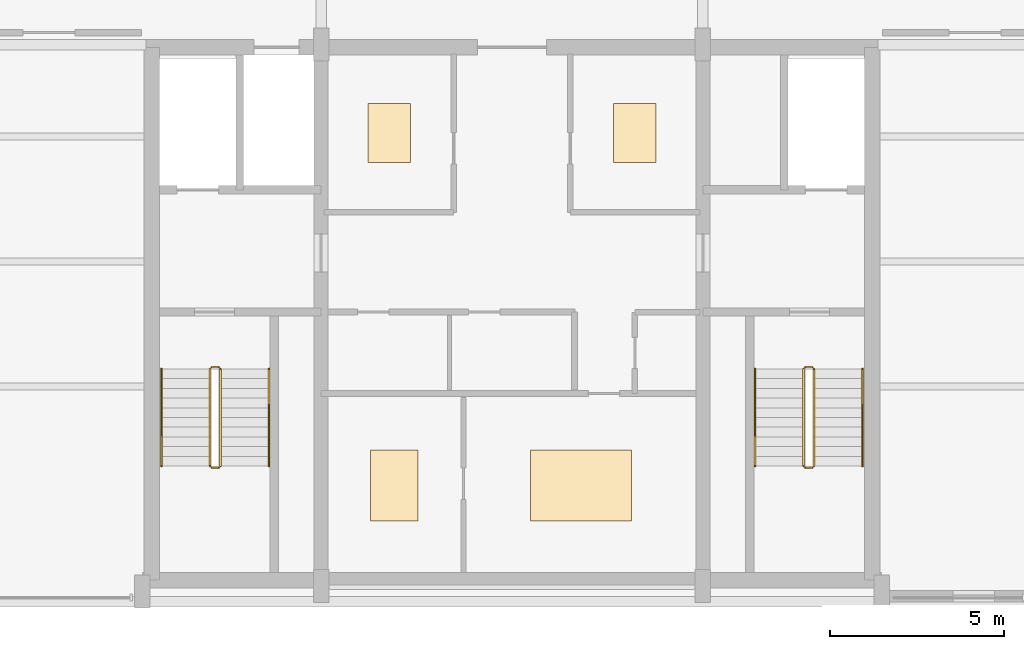
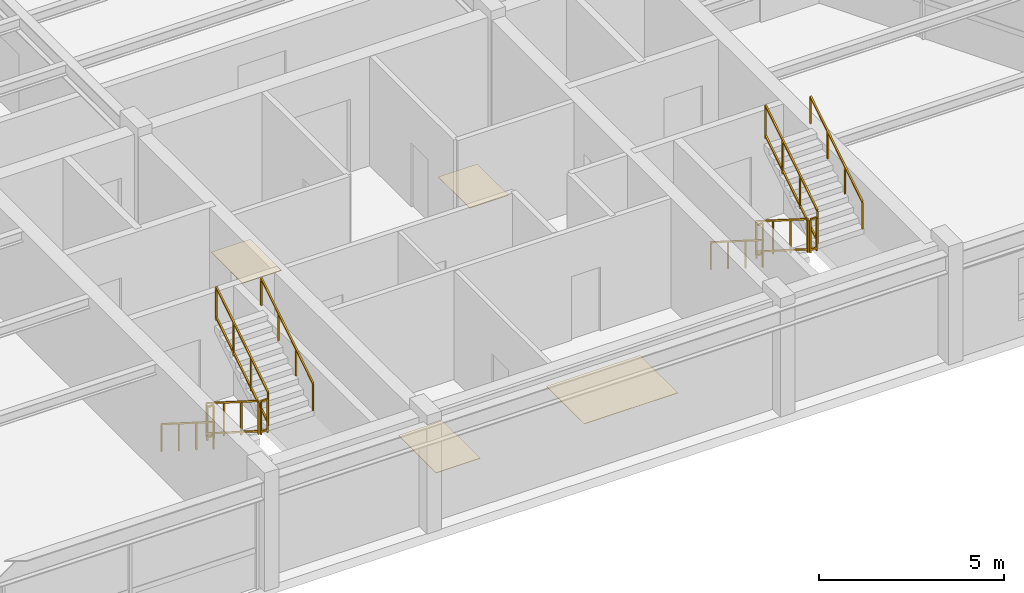
# One storey, part 12 of 12: 12 railings, 4 coverings.
"""IFC4 building model written with IfcOpenShell, lengths in metres."""

import ifcopenshell
import ifcopenshell.guid

model = None  # the IFC model being written
_history = None  # IfcOwnerHistory: only IFC2X3 demands one
_inside = {}  # id of a spatial element -> (the spatial element, [elements in it])
_under = {}  # id of a project, library or spatial element -> (it, [spatial elements below it])
_declared = {}  # id of a project -> (the project, [libraries it declares])
_typed = {}  # id of a type object -> (the type object, [elements of that type])
_made_of = {}  # id of a material, layer set ... -> (it, [elements and type objects made of it])


def new_model(schema):
    """Start an empty IFC model of exactly this schema.

    Asked for "IFC4X3", IfcOpenShell would pick the latest addendum, in which some entities
    have other attributes; the version numbers below select the first issue.
    IFC2X3 requires an IfcOwnerHistory on every rooted entity: one is made here for all.
    """
    global model, _history
    if schema == "IFC4X3":
        model = ifcopenshell.file(schema_version=(4, 3, 0, 0))
    else:
        model = ifcopenshell.file(schema=schema)
    _inside.clear()
    _under.clear()
    _declared.clear()
    _typed.clear()
    _made_of.clear()
    _history = None
    if model.schema == "IFC2X3":
        org = make("IfcOrganization", Name="unknown")
        user = make(
            "IfcPersonAndOrganization",
            ThePerson=make("IfcPerson", FamilyName="unknown"),
            TheOrganization=org,
        )
        app = make(
            "IfcApplication",
            ApplicationDeveloper=org,
            Version="unknown",
            ApplicationFullName="unknown",
            ApplicationIdentifier="unknown",
        )
        _history = make(
            "IfcOwnerHistory",
            OwningUser=user,
            OwningApplication=app,
            ChangeAction="ADDED",
            CreationDate=0,
        )
    return model


def make(cls, **values):
    """One entity of the class cls with the attributes given. An attribute that is None is left unset."""
    return model.create_entity(
        cls, **{name: value for name, value in values.items() if value is not None}
    )


def rooted(cls, **values):
    """An entity with a GlobalId (a new one), such as an element, a storey or a relation."""
    return make(cls, GlobalId=ifcopenshell.guid.new(), OwnerHistory=_history, **values)


def si_unit(unit_type, name, prefix=None):
    """IfcSIUnit, for example si_unit("LENGTHUNIT", "METRE", prefix="MILLI")."""
    return make("IfcSIUnit", UnitType=unit_type, Prefix=prefix, Name=name)


def assignment(units):
    """IfcUnitAssignment: the units of a project."""
    return None if units is None else make("IfcUnitAssignment", Units=units)


def point(xyz):
    """IfcCartesianPoint."""
    return None if xyz is None else make("IfcCartesianPoint", Coordinates=xyz)


def direction(xyz):
    """IfcDirection."""
    return None if xyz is None else make("IfcDirection", DirectionRatios=xyz)


def frame(location, z_axis=None, x_axis=None):
    """IfcAxis2Placement3D, a coordinate frame: its origin and axes. An axis left out is left unset."""
    return make(
        "IfcAxis2Placement3D",
        Location=point(location),
        Axis=direction(z_axis),
        RefDirection=direction(x_axis),
    )


def frame_2d(location, x_axis=None):
    """IfcAxis2Placement2D, a coordinate frame in the plane: its origin and x axis."""
    return make(
        "IfcAxis2Placement2D", Location=point(location), RefDirection=direction(x_axis)
    )


def origin():
    """The frame at (0, 0, 0) with its axes left unset."""
    return frame((0.0, 0.0, 0.0))


def origin_2d():
    """The frame at (0, 0) in the plane with its x axis left unset."""
    return frame_2d((0.0, 0.0))


def place(relative_to, where):
    """IfcLocalPlacement: puts the frame where relative to a parent placement (None: the world)."""
    return make(
        "IfcLocalPlacement", PlacementRelTo=relative_to, RelativePlacement=where
    )


def context(
    kind, dimensions, precision=None, world=None, true_north=None, identifier=None
):
    """IfcGeometricRepresentationContext, for example the 3D "Model" context."""
    return make(
        "IfcGeometricRepresentationContext",
        ContextIdentifier=identifier,
        ContextType=kind,
        CoordinateSpaceDimension=dimensions,
        Precision=precision,
        WorldCoordinateSystem=world,
        TrueNorth=true_north,
    )


def subcontext(parent, identifier, kind, view, scale=None):
    """IfcGeometricRepresentationSubContext, for example "Body" below "Model"."""
    return make(
        "IfcGeometricRepresentationSubContext",
        ContextIdentifier=identifier,
        ContextType=kind,
        ParentContext=parent,
        TargetScale=scale,
        TargetView=view,
    )


def project(units=None, contexts=None):
    """IfcProject with its units and contexts."""
    return rooted(
        "IfcProject",
        Name="project",
        RepresentationContexts=contexts,
        UnitsInContext=assignment(units),
    )


def spatial(cls, under=None, at=None, **own):
    """A site, building, storey or space (cls), placed at a placement, below another one or the project."""
    s = rooted(cls, ObjectPlacement=at, **own)
    if under is not None:
        _under.setdefault(under.id(), (under, []))[1].append(s)
    return s


def profile(cls, at=None, kind="AREA", **sizes):
    """A parametric profile (cls). Its sizes go by their IFC names, for example OverallWidth=200.0."""
    return make(cls, ProfileType=kind, Position=at, **sizes)


def rectangle(**sizes):
    """IfcRectangleProfileDef."""
    return profile("IfcRectangleProfileDef", **sizes)


def extrude(swept, where, along, depth):
    """IfcExtrudedAreaSolid: the profile swept, set in the frame where, extruded along a direction by depth."""
    return make(
        "IfcExtrudedAreaSolid",
        SweptArea=swept,
        Position=where,
        ExtrudedDirection=direction(along),
        Depth=depth,
    )


def shape(context_of_items, identifier, shape_type, items):
    """IfcShapeRepresentation: the items that make up one representation, for example the "Body"."""
    return make(
        "IfcShapeRepresentation",
        ContextOfItems=context_of_items,
        RepresentationIdentifier=identifier,
        RepresentationType=shape_type,
        Items=items,
    )


def source(mapping_origin, context_of_items, identifier, shape_type, items):
    """IfcRepresentationMap: a shape defined once, which mapped items show again and again."""
    return make(
        "IfcRepresentationMap",
        MappingOrigin=mapping_origin,
        MappedRepresentation=shape(context_of_items, identifier, shape_type, items),
    )


def transform(
    local_origin,
    x_axis=None,
    y_axis=None,
    z_axis=None,
    scale=None,
    scale2=None,
    scale3=None,
    uniform=True,
):
    """IfcCartesianTransformationOperator3D, or its non-uniform kind. x_axis, y_axis, z_axis: its Axis1, 2, 3."""
    if uniform:
        return make(
            "IfcCartesianTransformationOperator3D",
            Axis1=direction(x_axis),
            Axis2=direction(y_axis),
            LocalOrigin=point(local_origin),
            Scale=scale,
            Axis3=direction(z_axis),
        )
    return make(
        "IfcCartesianTransformationOperator3DnonUniform",
        Axis1=direction(x_axis),
        Axis2=direction(y_axis),
        LocalOrigin=point(local_origin),
        Scale=scale,
        Axis3=direction(z_axis),
        Scale2=scale2,
        Scale3=scale3,
    )


def mapped(mapping_source, mapping_target):
    """IfcMappedItem: shows the shape of a source again, moved by a transform."""
    return make(
        "IfcMappedItem", MappingSource=mapping_source, MappingTarget=mapping_target
    )


def material(Name=None, Category=None):
    """IfcMaterial."""
    return make("IfcMaterial", Name=Name, Category=Category)


def layer(
    of_material, thickness, ventilated=None, Name=None, Category=None, Priority=None
):
    """IfcMaterialLayer: one layer of a wall or slab, of a material (None: an air gap)."""
    return make(
        "IfcMaterialLayer",
        Material=of_material,
        LayerThickness=thickness,
        IsVentilated=ventilated,
        Name=Name,
        Category=Category,
        Priority=Priority,
    )


def layer_set(layers, Name=None):
    """IfcMaterialLayerSet."""
    return make("IfcMaterialLayerSet", MaterialLayers=layers, LayerSetName=Name)


def made_of(thing, what):
    """Note that an element or type object is made of a material, layer set ...; save() writes the relation."""
    if what is not None:
        _made_of.setdefault(what.id(), (what, []))[1].append(thing)
    return thing


def type_object(cls, material=None, **own):
    """A type object (cls), such as IfcWallType, which elements share."""
    return made_of(rooted(cls, **own), material)


def element(
    cls,
    number,
    at=None,
    inside=None,
    cuts=None,
    type_object=None,
    material=None,
    context=None,
    identifier="Body",
    shape_type=None,
    held_by="IfcProductDefinitionShape",
    body=None,
    shapes=None,
    **own,
):
    """One element of the class cls, such as IfcWall. Its Tag is "e" and its number.

    at: its placement. inside: the storey or other place that contains it. cuts: it is an
    opening in that element (IfcRelVoidsElement). A single representation is given by context,
    identifier, shape_type and body (its items); several are given by shapes. held_by: the class
    of the entity that holds the representations. save() writes the other relations.
    """
    e = rooted(cls, Tag="e%d" % number, ObjectPlacement=at, **own)
    if body is not None:
        shapes = [shape(context, identifier, shape_type, body)]
    if shapes is not None:
        e.Representation = make(held_by, Representations=shapes)
    if inside is not None:
        _inside.setdefault(inside.id(), (inside, []))[1].append(e)
    if cuts is not None:
        rooted(
            "IfcRelVoidsElement", RelatingBuildingElement=cuts, RelatedOpeningElement=e
        )
    if type_object is not None:
        _typed.setdefault(type_object.id(), (type_object, []))[1].append(e)
    return made_of(e, material)


def aggregate(whole, parts):
    """IfcRelAggregates: a whole, such as a stair, and the parts it consists of."""
    return rooted("IfcRelAggregates", RelatingObject=whole, RelatedObjects=parts)


def save(model, path):
    """Write the relations noted so far, then the file.

    IfcRelAggregates (storeys below a building ...), IfcRelContainedInSpatialStructure (elements
    in a storey), IfcRelDefinesByType, IfcRelAssociatesMaterial and IfcRelDeclares: one each for
    every whole, place, type object, material and project.
    """
    for whole, parts in _under.values():
        aggregate(whole, parts)
    for where, things in _inside.values():
        rooted(
            "IfcRelContainedInSpatialStructure",
            RelatedElements=things,
            RelatingStructure=where,
        )
    for kind, things in _typed.values():
        rooted("IfcRelDefinesByType", RelatedObjects=things, RelatingType=kind)
    for what, things in _made_of.values():
        rooted("IfcRelAssociatesMaterial", RelatedObjects=things, RelatingMaterial=what)
    for by, libraries in _declared.values():
        rooted("IfcRelDeclares", RelatingContext=by, RelatedDefinitions=libraries)
    model.write(path)


model = new_model("IFC4")

# Units and contexts
model_context = context("Model", 3, precision=1e-05, world=origin(), true_north=direction((0.0, 1.0)))
body_context = subcontext(model_context, "Body", "Model", "MODEL_VIEW")
ifc_project = project(units=[si_unit("LENGTHUNIT", "METRE"), si_unit("AREAUNIT", "SQUARE_METRE"), si_unit("VOLUMEUNIT", "CUBIC_METRE"), si_unit("PLANEANGLEUNIT", "RADIAN"), si_unit("MASSUNIT", "GRAM", prefix="KILO")], contexts=[model_context])

# Site, building, storey
site_placement = place(None, origin())
site = spatial("IfcSite", under=ifc_project, at=site_placement, CompositionType="ELEMENT")
building_placement = place(site_placement, origin())
building = spatial("IfcBuilding", under=site, at=building_placement, Name="Varnakhor Terracotta Tower", CompositionType="ELEMENT")
storey_placement = place(building_placement, frame((0.0, 0.0, 313.60009765625)))
storey = spatial("IfcBuildingStorey", under=building, at=storey_placement, Name="L82 Crown", CompositionType="ELEMENT", Elevation=313.60009765625)

# Railings
ifc_material_1 = material(Name="Painted Steel Stairwell Guardrail", Category="steel")
railing_type_1 = type_object("IfcRailingType", Name="RLG-STAIR-GUARD-1120", PredefinedType="GUARDRAIL", material=ifc_material_1)
railing_1_placement = place(storey_placement, frame((-8.699951171875, 6.7099609375, 0.17724609375)))
element("IfcRailing", 1, at=railing_1_placement, inside=storey, type_object=railing_type_1, Name="L82 Crown ST-1 stair guard 1", PredefinedType="GUARDRAIL", context=body_context, shape_type="SweptSolid", body=[
    extrude(rectangle(XDim=0.048095703125, YDim=0.048095703125, at=origin_2d()), frame((0.0, 0.0, 1.09619140625), z_axis=(0.0, -0.844908973607, 0.534910110503), x_axis=(1.0, 0.0, 0.0)), (0.0, 0.0, 1.0), 3.31396484375),
    extrude(rectangle(XDim=0.048095703125, YDim=0.048095703125, at=origin_2d()), frame((0.0, 0.0, 0.10009765625), z_axis=(0.0, -0.844908973607, 0.534910110503), x_axis=(1.0, 0.0, 0.0)), (0.0, 0.0, 1.0), 3.31396484375),
    extrude(rectangle(XDim=0.0419921875, YDim=0.0419921875, at=origin_2d()), origin(), (0.0, 0.0, 1.0), 1.072021484375),
    extrude(rectangle(XDim=0.0419921875, YDim=0.0419921875, at=origin_2d()), frame((0.0, -0.933349609375, 0.5908203125)), (0.0, 0.0, 1.0), 1.072021484375),
    extrude(rectangle(XDim=0.0419921875, YDim=0.0419921875, at=origin_2d()), frame((0.0, -1.86669921875, 1.181884765625)), (0.0, 0.0, 1.0), 1.072021484375),
    extrude(rectangle(XDim=0.0419921875, YDim=0.0419921875, at=origin_2d()), frame((0.0, -2.800048828125, 1.772705078125)), (0.0, 0.0, 1.0), 1.072021484375),
])
railing_2_placement = place(storey_placement, frame((-8.64990234375, 3.860107421875, 1.949951171875)))
element("IfcRailing", 2, at=railing_2_placement, inside=storey, type_object=railing_type_1, Name="L82 Crown ST-1 stair guard 2", PredefinedType="GUARDRAIL", context=body_context, shape_type="SweptSolid", body=[
    extrude(rectangle(XDim=0.048095703125, YDim=0.048095703125, at=origin_2d()), frame((0.0, 0.0, 1.09619140625), z_axis=(1.0, 0.0, 0.0), x_axis=(0.0, 1.0, 0.0)), (0.0, 0.0, 1.0), 0.199951171875),
    extrude(rectangle(XDim=0.048095703125, YDim=0.048095703125, at=origin_2d()), frame((0.0, 0.0, 0.10009765625), z_axis=(1.0, 0.0, 0.0), x_axis=(0.0, 1.0, 0.0)), (0.0, 0.0, 1.0), 0.199951171875),
    extrude(rectangle(XDim=0.0419921875, YDim=0.0419921875, at=origin_2d()), origin(), (0.0, 0.0, 1.0), 1.072021484375),
    extrude(rectangle(XDim=0.0419921875, YDim=0.0419921875, at=origin_2d()), frame((0.199951171875, 0.0, 0.0)), (0.0, 0.0, 1.0), 1.072021484375),
])
railing_3_placement = place(storey_placement, frame((-8.39990234375, 3.909912109375, 2.127197265625)))
element("IfcRailing", 3, at=railing_3_placement, inside=storey, type_object=railing_type_1, Name="L82 Crown ST-1 stair guard 3", PredefinedType="GUARDRAIL", context=body_context, shape_type="SweptSolid", body=[
    extrude(rectangle(XDim=0.048095703125, YDim=0.048095703125, at=origin_2d()), frame((0.0, 0.0, 1.09619140625), z_axis=(0.0, 0.844908973607, 0.534910110503), x_axis=(-1.0, 0.0, 0.0)), (0.0, 0.0, 1.0), 3.31396484375),
    extrude(rectangle(XDim=0.048095703125, YDim=0.048095703125, at=origin_2d()), frame((0.0, 0.0, 0.10009765625), z_axis=(0.0, 0.844908973607, 0.534910110503), x_axis=(-1.0, 0.0, 0.0)), (0.0, 0.0, 1.0), 3.31396484375),
    extrude(rectangle(XDim=0.0419921875, YDim=0.0419921875, at=origin_2d()), origin(), (0.0, 0.0, 1.0), 1.072021484375),
    extrude(rectangle(XDim=0.0419921875, YDim=0.0419921875, at=origin_2d()), frame((0.0, 0.933349609375, 0.5908203125)), (0.0, 0.0, 1.0), 1.072021484375),
    extrude(rectangle(XDim=0.0419921875, YDim=0.0419921875, at=origin_2d()), frame((0.0, 1.86669921875, 1.181884765625)), (0.0, 0.0, 1.0), 1.072021484375),
    extrude(rectangle(XDim=0.0419921875, YDim=0.0419921875, at=origin_2d()), frame((0.0, 2.800048828125, 1.772705078125)), (0.0, 0.0, 1.0), 1.072021484375),
])
railing_4_placement = place(storey_placement, frame((-8.64990234375, 6.760009765625, 0.0)))
element("IfcRailing", 4, at=railing_4_placement, inside=storey, type_object=railing_type_1, Name="L82 Crown ST-1 stair guard 4", PredefinedType="GUARDRAIL", context=body_context, shape_type="SweptSolid", body=[
    extrude(rectangle(XDim=0.048095703125, YDim=0.048095703125, at=origin_2d()), frame((0.0, 0.0, 1.09619140625), z_axis=(1.0, 0.0, 0.0), x_axis=(0.0, 1.0, 0.0)), (0.0, 0.0, 1.0), 0.199951171875),
    extrude(rectangle(XDim=0.048095703125, YDim=0.048095703125, at=origin_2d()), frame((0.0, 0.0, 0.10009765625), z_axis=(1.0, 0.0, 0.0), x_axis=(0.0, 1.0, 0.0)), (0.0, 0.0, 1.0), 0.199951171875),
    extrude(rectangle(XDim=0.0419921875, YDim=0.0419921875, at=origin_2d()), origin(), (0.0, 0.0, 1.0), 1.072021484375),
    extrude(rectangle(XDim=0.0419921875, YDim=0.0419921875, at=origin_2d()), frame((0.199951171875, 0.0, 0.0)), (0.0, 0.0, 1.0), 1.072021484375),
])
railing_5_placement = place(storey_placement, frame((8.39990234375, 6.7099609375, 0.17724609375)))
element("IfcRailing", 5, at=railing_5_placement, inside=storey, type_object=railing_type_1, Name="L82 Crown ST-2 stair guard 1", PredefinedType="GUARDRAIL", context=body_context, shape_type="SweptSolid", body=[
    extrude(rectangle(XDim=0.048095703125, YDim=0.048095703125, at=origin_2d()), frame((0.0, 0.0, 1.09619140625), z_axis=(0.0, -0.844908973607, 0.534910110503), x_axis=(1.0, 0.0, 0.0)), (0.0, 0.0, 1.0), 3.31396484375),
    extrude(rectangle(XDim=0.048095703125, YDim=0.048095703125, at=origin_2d()), frame((0.0, 0.0, 0.10009765625), z_axis=(0.0, -0.844908973607, 0.534910110503), x_axis=(1.0, 0.0, 0.0)), (0.0, 0.0, 1.0), 3.31396484375),
    extrude(rectangle(XDim=0.0419921875, YDim=0.0419921875, at=origin_2d()), origin(), (0.0, 0.0, 1.0), 1.072021484375),
    extrude(rectangle(XDim=0.0419921875, YDim=0.0419921875, at=origin_2d()), frame((0.0, -0.933349609375, 0.5908203125)), (0.0, 0.0, 1.0), 1.072021484375),
    extrude(rectangle(XDim=0.0419921875, YDim=0.0419921875, at=origin_2d()), frame((0.0, -1.86669921875, 1.181884765625)), (0.0, 0.0, 1.0), 1.072021484375),
    extrude(rectangle(XDim=0.0419921875, YDim=0.0419921875, at=origin_2d()), frame((0.0, -2.800048828125, 1.772705078125)), (0.0, 0.0, 1.0), 1.072021484375),
])
railing_6_placement = place(storey_placement, frame((8.449951171875, 3.860107421875, 1.949951171875)))
element("IfcRailing", 6, at=railing_6_placement, inside=storey, type_object=railing_type_1, Name="L82 Crown ST-2 stair guard 2", PredefinedType="GUARDRAIL", context=body_context, shape_type="SweptSolid", body=[
    extrude(rectangle(XDim=0.048095703125, YDim=0.048095703125, at=origin_2d()), frame((0.0, 0.0, 1.09619140625), z_axis=(1.0, 0.0, 0.0), x_axis=(0.0, 1.0, 0.0)), (0.0, 0.0, 1.0), 0.199951171875),
    extrude(rectangle(XDim=0.048095703125, YDim=0.048095703125, at=origin_2d()), frame((0.0, 0.0, 0.10009765625), z_axis=(1.0, 0.0, 0.0), x_axis=(0.0, 1.0, 0.0)), (0.0, 0.0, 1.0), 0.199951171875),
    extrude(rectangle(XDim=0.0419921875, YDim=0.0419921875, at=origin_2d()), origin(), (0.0, 0.0, 1.0), 1.072021484375),
    extrude(rectangle(XDim=0.0419921875, YDim=0.0419921875, at=origin_2d()), frame((0.199951171875, 0.0, 0.0)), (0.0, 0.0, 1.0), 1.072021484375),
])
railing_7_placement = place(storey_placement, frame((8.699951171875, 3.909912109375, 2.127197265625)))
element("IfcRailing", 7, at=railing_7_placement, inside=storey, type_object=railing_type_1, Name="L82 Crown ST-2 stair guard 3", PredefinedType="GUARDRAIL", context=body_context, shape_type="SweptSolid", body=[
    extrude(rectangle(XDim=0.048095703125, YDim=0.048095703125, at=origin_2d()), frame((0.0, 0.0, 1.09619140625), z_axis=(0.0, 0.844908973607, 0.534910110503), x_axis=(-1.0, 0.0, 0.0)), (0.0, 0.0, 1.0), 3.31396484375),
    extrude(rectangle(XDim=0.048095703125, YDim=0.048095703125, at=origin_2d()), frame((0.0, 0.0, 0.10009765625), z_axis=(0.0, 0.844908973607, 0.534910110503), x_axis=(-1.0, 0.0, 0.0)), (0.0, 0.0, 1.0), 3.31396484375),
    extrude(rectangle(XDim=0.0419921875, YDim=0.0419921875, at=origin_2d()), origin(), (0.0, 0.0, 1.0), 1.072021484375),
    extrude(rectangle(XDim=0.0419921875, YDim=0.0419921875, at=origin_2d()), frame((0.0, 0.933349609375, 0.5908203125)), (0.0, 0.0, 1.0), 1.072021484375),
    extrude(rectangle(XDim=0.0419921875, YDim=0.0419921875, at=origin_2d()), frame((0.0, 1.86669921875, 1.181884765625)), (0.0, 0.0, 1.0), 1.072021484375),
    extrude(rectangle(XDim=0.0419921875, YDim=0.0419921875, at=origin_2d()), frame((0.0, 2.800048828125, 1.772705078125)), (0.0, 0.0, 1.0), 1.072021484375),
])
railing_8_placement = place(storey_placement, frame((8.449951171875, 6.760009765625, 0.0)))
element("IfcRailing", 8, at=railing_8_placement, inside=storey, type_object=railing_type_1, Name="L82 Crown ST-2 stair guard 4", PredefinedType="GUARDRAIL", context=body_context, shape_type="SweptSolid", body=[
    extrude(rectangle(XDim=0.048095703125, YDim=0.048095703125, at=origin_2d()), frame((0.0, 0.0, 1.09619140625), z_axis=(1.0, 0.0, 0.0), x_axis=(0.0, 1.0, 0.0)), (0.0, 0.0, 1.0), 0.199951171875),
    extrude(rectangle(XDim=0.048095703125, YDim=0.048095703125, at=origin_2d()), frame((0.0, 0.0, 0.10009765625), z_axis=(1.0, 0.0, 0.0), x_axis=(0.0, 1.0, 0.0)), (0.0, 0.0, 1.0), 0.199951171875),
    extrude(rectangle(XDim=0.0419921875, YDim=0.0419921875, at=origin_2d()), origin(), (0.0, 0.0, 1.0), 1.072021484375),
    extrude(rectangle(XDim=0.0419921875, YDim=0.0419921875, at=origin_2d()), frame((0.199951171875, 0.0, 0.0)), (0.0, 0.0, 1.0), 1.072021484375),
])
ifc_material_2 = material(Name="Brushed Stainless Steel Handrail", Category="steel")
railing_type_2 = type_object("IfcRailingType", Name="RLG-STAIR-HANDRAIL-920", PredefinedType="HANDRAIL", material=ifc_material_2)
railing_9_placement = place(storey_placement, frame((-10.10009765625, 6.7099609375, 0.17724609375)))
element("IfcRailing", 9, at=railing_9_placement, inside=storey, type_object=railing_type_2, Name="L82 Crown ST-1 stair handrail 1", PredefinedType="HANDRAIL", context=body_context, shape_type="SweptSolid", body=[
    extrude(rectangle(XDim=0.048095703125, YDim=0.048095703125, at=origin_2d()), frame((0.0, 0.0, 0.89599609375), z_axis=(0.0, -0.844908973607, 0.534910110503), x_axis=(1.0, 0.0, 0.0)), (0.0, 0.0, 1.0), 3.31396484375),
    extrude(rectangle(XDim=0.0419921875, YDim=0.0419921875, at=origin_2d()), origin(), (0.0, 0.0, 1.0), 0.871826171875),
    extrude(rectangle(XDim=0.0419921875, YDim=0.0419921875, at=origin_2d()), frame((0.0, -0.933349609375, 0.5908203125)), (0.0, 0.0, 1.0), 0.871826171875),
    extrude(rectangle(XDim=0.0419921875, YDim=0.0419921875, at=origin_2d()), frame((0.0, -1.86669921875, 1.181884765625)), (0.0, 0.0, 1.0), 0.871826171875),
    extrude(rectangle(XDim=0.0419921875, YDim=0.0419921875, at=origin_2d()), frame((0.0, -2.800048828125, 1.772705078125)), (0.0, 0.0, 1.0), 0.871826171875),
])
railing_10_placement = place(storey_placement, frame((-7.0, 3.909912109375, 2.127197265625)))
element("IfcRailing", 10, at=railing_10_placement, inside=storey, type_object=railing_type_2, Name="L82 Crown ST-1 stair handrail 2", PredefinedType="HANDRAIL", context=body_context, shape_type="SweptSolid", body=[
    extrude(rectangle(XDim=0.048095703125, YDim=0.048095703125, at=origin_2d()), frame((0.0, 0.0, 0.89599609375), z_axis=(0.0, 0.844908973607, 0.534910110503), x_axis=(-1.0, 0.0, 0.0)), (0.0, 0.0, 1.0), 3.31396484375),
    extrude(rectangle(XDim=0.0419921875, YDim=0.0419921875, at=origin_2d()), origin(), (0.0, 0.0, 1.0), 0.871826171875),
    extrude(rectangle(XDim=0.0419921875, YDim=0.0419921875, at=origin_2d()), frame((0.0, 0.933349609375, 0.5908203125)), (0.0, 0.0, 1.0), 0.871826171875),
    extrude(rectangle(XDim=0.0419921875, YDim=0.0419921875, at=origin_2d()), frame((0.0, 1.86669921875, 1.181884765625)), (0.0, 0.0, 1.0), 0.871826171875),
    extrude(rectangle(XDim=0.0419921875, YDim=0.0419921875, at=origin_2d()), frame((0.0, 2.800048828125, 1.772705078125)), (0.0, 0.0, 1.0), 0.871826171875),
])
railing_11_placement = place(storey_placement, frame((7.0, 6.7099609375, 0.17724609375)))
element("IfcRailing", 11, at=railing_11_placement, inside=storey, type_object=railing_type_2, Name="L82 Crown ST-2 stair handrail 1", PredefinedType="HANDRAIL", context=body_context, shape_type="SweptSolid", body=[
    extrude(rectangle(XDim=0.048095703125, YDim=0.048095703125, at=origin_2d()), frame((0.0, 0.0, 0.89599609375), z_axis=(0.0, -0.844908973607, 0.534910110503), x_axis=(1.0, 0.0, 0.0)), (0.0, 0.0, 1.0), 3.31396484375),
    extrude(rectangle(XDim=0.0419921875, YDim=0.0419921875, at=origin_2d()), origin(), (0.0, 0.0, 1.0), 0.871826171875),
    extrude(rectangle(XDim=0.0419921875, YDim=0.0419921875, at=origin_2d()), frame((0.0, -0.933349609375, 0.5908203125)), (0.0, 0.0, 1.0), 0.871826171875),
    extrude(rectangle(XDim=0.0419921875, YDim=0.0419921875, at=origin_2d()), frame((0.0, -1.86669921875, 1.181884765625)), (0.0, 0.0, 1.0), 0.871826171875),
    extrude(rectangle(XDim=0.0419921875, YDim=0.0419921875, at=origin_2d()), frame((0.0, -2.800048828125, 1.772705078125)), (0.0, 0.0, 1.0), 0.871826171875),
])
railing_12_placement = place(storey_placement, frame((10.10009765625, 3.909912109375, 2.127197265625)))
element("IfcRailing", 12, at=railing_12_placement, inside=storey, type_object=railing_type_2, Name="L82 Crown ST-2 stair handrail 2", PredefinedType="HANDRAIL", context=body_context, shape_type="SweptSolid", body=[
    extrude(rectangle(XDim=0.048095703125, YDim=0.048095703125, at=origin_2d()), frame((0.0, 0.0, 0.89599609375), z_axis=(0.0, 0.844908973607, 0.534910110503), x_axis=(-1.0, 0.0, 0.0)), (0.0, 0.0, 1.0), 3.31396484375),
    extrude(rectangle(XDim=0.0419921875, YDim=0.0419921875, at=origin_2d()), origin(), (0.0, 0.0, 1.0), 0.871826171875),
    extrude(rectangle(XDim=0.0419921875, YDim=0.0419921875, at=origin_2d()), frame((0.0, 0.933349609375, 0.5908203125)), (0.0, 0.0, 1.0), 0.871826171875),
    extrude(rectangle(XDim=0.0419921875, YDim=0.0419921875, at=origin_2d()), frame((0.0, 1.86669921875, 1.181884765625)), (0.0, 0.0, 1.0), 0.871826171875),
    extrude(rectangle(XDim=0.0419921875, YDim=0.0419921875, at=origin_2d()), frame((0.0, 2.800048828125, 1.772705078125)), (0.0, 0.0, 1.0), 0.871826171875),
])

# Coverings
ifc_material_3 = material(Name="Insulated Elastomeric Waterproof Roofing Membrane", Category="other")
ifc_layer = layer(ifc_material_3, 0.034912109375, Name="Insulated Elastomeric Waterproof Roofing Membrane")
ifc_layer_set = layer_set([ifc_layer], Name="Insulated Elastomeric Waterproof Roofing Membrane")
covering_type = type_object("IfcCoveringType", Name="COV-ROOF-MEMBRANE", PredefinedType="ROOFING", material=ifc_layer_set)
shared_shape_1 = source(origin(), body_context, "Body", "SweptSolid", [
    extrude(rectangle(XDim=1.375, YDim=2.041015625, at=origin_2d()), origin(), (0.0, 0.0, 1.0), 0.014892578125),
])
covering_1_placement = place(storey_placement, frame((-3.389892578125, 3.35498046875, 0.0), z_axis=(0.0, 0.0, 1.0), x_axis=(1.0, 0.0, 0.0)))
element("IfcCovering", 13, at=covering_1_placement, inside=storey, type_object=covering_type, Name="L82 Crown Waterproof Plant Membrane 1", PredefinedType="ROOFING", context=body_context, shape_type="MappedRepresentation", body=[
    mapped(shared_shape_1, transform((0.0, 0.0, 0.0), scale=1.0)),
])
shared_shape_2 = source(origin(), body_context, "Body", "SweptSolid", [
    extrude(rectangle(XDim=2.9150390625, YDim=2.041015625, at=origin_2d()), origin(), (0.0, 0.0, 1.0), 0.014892578125),
])
covering_2_placement = place(storey_placement, frame((1.989990234375, 3.35498046875, 0.0), z_axis=(0.0, 0.0, 1.0), x_axis=(1.0, 0.0, 0.0)))
element("IfcCovering", 14, at=covering_2_placement, inside=storey, type_object=covering_type, Name="L82 Crown Waterproof Plant Membrane 2", PredefinedType="ROOFING", context=body_context, shape_type="MappedRepresentation", body=[
    mapped(shared_shape_2, transform((0.0, 0.0, 0.0), scale=1.0)),
])
shared_shape_3 = source(origin(), body_context, "Body", "SweptSolid", [
    extrude(rectangle(XDim=1.215087890625, YDim=1.694091796875, at=origin_2d()), origin(), (0.0, 0.0, 1.0), 0.014892578125),
])
for number, where, z_axis, x_axis, name in (
    (15, (-3.534912109375, 13.510009765625, 0.0), (0.0, 0.0, 1.0), (1.0, 0.0, 0.0), "L82 Crown Waterproof Plant Membrane 3"),
    (16, (3.534912109375, 13.510009765625, 0.0), (0.0, 0.0, 1.0), (1.0, 0.0, 0.0), "L82 Crown Waterproof Plant Membrane 4"),
):
    element("IfcCovering", number, at=place(storey_placement, frame(where, z_axis=z_axis, x_axis=x_axis)), inside=storey, type_object=covering_type, Name=name, PredefinedType="ROOFING", context=body_context, shape_type="MappedRepresentation", body=[
        mapped(shared_shape_3, transform((0.0, 0.0, 0.0), scale=1.0)),
    ])

save(model, "model.ifc")
